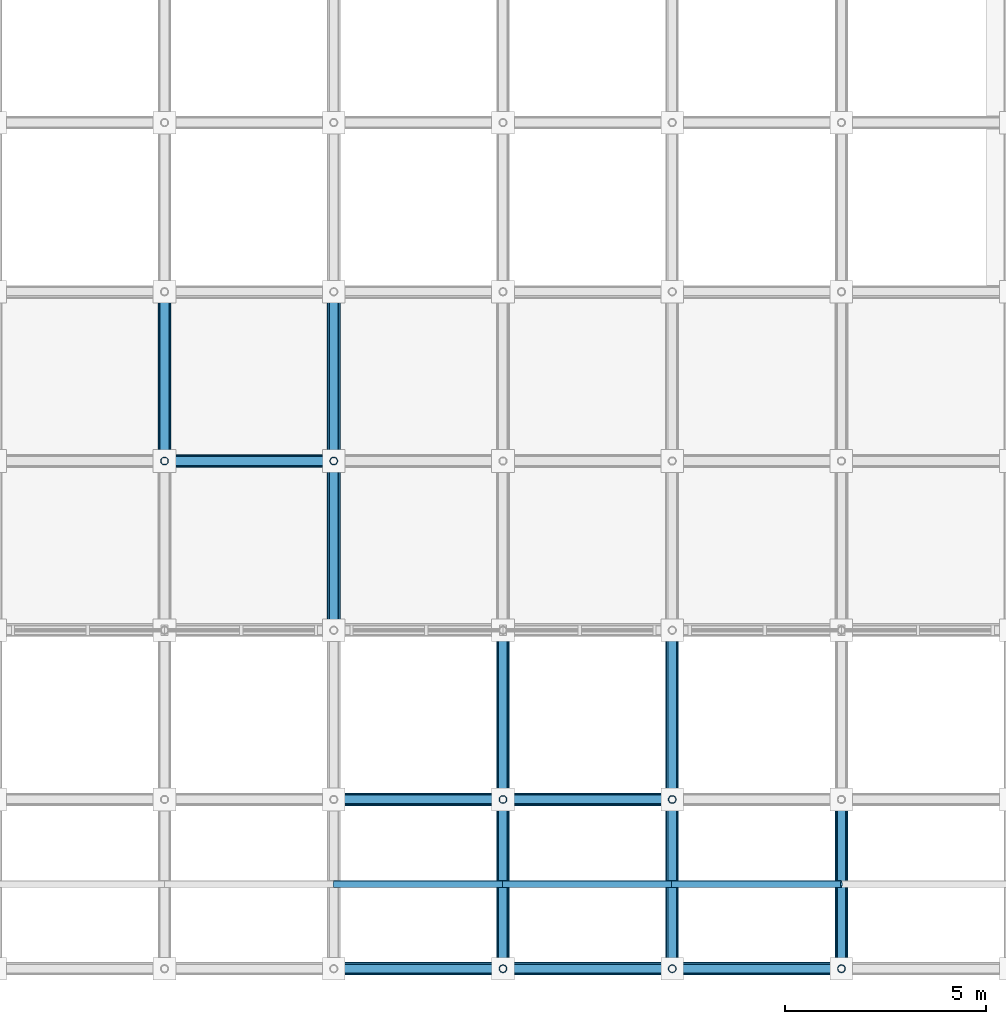
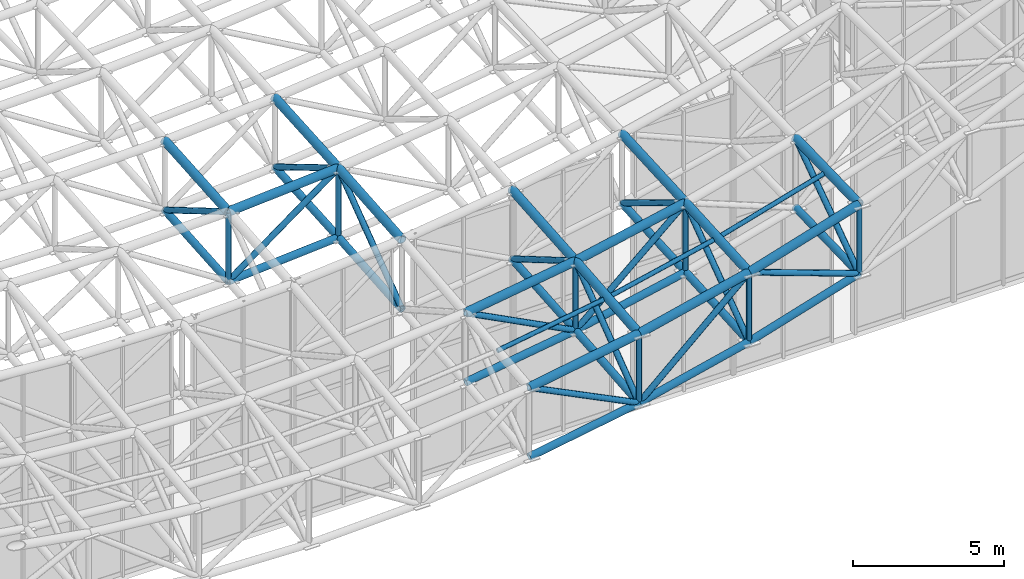
# One storey, part 15 of 93: 52 members.
"""IFC4 building model written with IfcOpenShell, lengths in metres."""

from ifc_helpers import new_model, si_unit, direction, frame, origin, origin_2d, place, context, subcontext, project, spatial, hollow_circle, extrude, material, material_profile, profile_set, type_object, element, save


model = new_model("IFC4")

# Units and contexts
model_context = context("Model", 3, precision=1e-05, world=origin(), true_north=direction((0.0, 1.0)))
body_context = subcontext(model_context, "Body", "Model", "MODEL_VIEW")
ifc_project = project(units=[si_unit("LENGTHUNIT", "METRE"), si_unit("AREAUNIT", "SQUARE_METRE"), si_unit("VOLUMEUNIT", "CUBIC_METRE"), si_unit("PLANEANGLEUNIT", "RADIAN"), si_unit("MASSUNIT", "GRAM", prefix="KILO")], contexts=[model_context])

# Site, building, storey
site_placement = place(None, origin())
site = spatial("IfcSite", under=ifc_project, at=site_placement, CompositionType="ELEMENT")
building_placement = place(site_placement, origin())
building = spatial("IfcBuilding", under=site, at=building_placement, Name="Cumbredor Promenade Congress Hotel", CompositionType="ELEMENT")
storey_placement = place(building_placement, frame((0.0, 0.0, 21.840087890625)))
storey = spatial("IfcBuildingStorey", under=building, at=storey_placement, Name="L06", CompositionType="ELEMENT", Elevation=21.840087890625)

# Members
ifc_material = material(Name="Steel ASTM A500 Grade C", Category="steel")
ifc_material_profile_1 = material_profile(ifc_material, hollow_circle(Radius=0.136474609375, WallThickness=0.01611328125, at=origin_2d()), Name="CHS 273.0x16")
ifc_profile_set_1 = profile_set([ifc_material_profile_1], Name="Steel ASTM A500 Grade C")
member_type_1 = type_object("IfcMemberType", Name="Plenary Roof Space Frame Bottom Chord", PredefinedType="CHORD", material=ifc_profile_set_1)
member_1_placement = place(storey_placement, frame((42.0, 0.0, 6.107666015625), z_axis=(0.98588906313, 0.0, 0.167399985665), x_axis=(0.0, 1.0, 0.0)))
element("IfcMember", 1, at=member_1_placement, inside=storey, type_object=member_type_1, Name="Plenary Congress Hall X Bottom Chord 12.1", PredefinedType="CHORD", context=body_context, shape_type="SweptSolid", body=[
    extrude(hollow_circle(Radius=0.136474609375, WallThickness=0.01611328125, at=origin_2d()), origin(), (0.0, 0.0, 1.0), 4.260009765625),
])
member_2_placement = place(storey_placement, frame((46.199951171875, 0.0, 6.82080078125), z_axis=(0.972882011564, 0.0, 0.231301948922), x_axis=(0.0, 1.0, 0.0)))
element("IfcMember", 2, at=member_2_placement, inside=storey, type_object=member_type_1, Name="Plenary Congress Hall X Bottom Chord 13.1", PredefinedType="CHORD", context=body_context, shape_type="SweptSolid", body=[
    extrude(hollow_circle(Radius=0.136474609375, WallThickness=0.01611328125, at=origin_2d()), origin(), (0.0, 0.0, 1.0), 4.317138671875),
])
member_3_placement = place(storey_placement, frame((50.39990234375, 0.0, 7.8193359375), z_axis=(0.95633258209, 0.0, 0.292280674066), x_axis=(0.0, 1.0, 0.0)))
element("IfcMember", 3, at=member_3_placement, inside=storey, type_object=member_type_1, Name="Plenary Congress Hall X Bottom Chord 14.1", PredefinedType="CHORD", context=body_context, shape_type="SweptSolid", body=[
    extrude(hollow_circle(Radius=0.136474609375, WallThickness=0.01611328125, at=origin_2d()), origin(), (0.0, 0.0, 1.0), 4.39208984375),
])
member_4_placement = place(storey_placement, frame((42.0, 4.199951171875, 6.572509765625), z_axis=(0.988940147497, 0.0, 0.148315153202), x_axis=(0.0, 1.0, 0.0)))
element("IfcMember", 4, at=member_4_placement, inside=storey, type_object=member_type_1, Name="Plenary Congress Hall X Bottom Chord 12.2", PredefinedType="CHORD", context=body_context, shape_type="SweptSolid", body=[
    extrude(hollow_circle(Radius=0.136474609375, WallThickness=0.01611328125, at=origin_2d()), origin(), (0.0, 0.0, 1.0), 4.246826171875),
])
member_5_placement = place(storey_placement, frame((46.199951171875, 4.199951171875, 7.202392578125), z_axis=(0.978672143388, 0.0, 0.20542842003), x_axis=(0.0, 1.0, 0.0)))
element("IfcMember", 5, at=member_5_placement, inside=storey, type_object=member_type_1, Name="Plenary Congress Hall X Bottom Chord 13.2", PredefinedType="CHORD", context=body_context, shape_type="SweptSolid", body=[
    extrude(hollow_circle(Radius=0.136474609375, WallThickness=0.01611328125, at=origin_2d()), origin(), (0.0, 0.0, 1.0), 4.29150390625),
])
member_6_placement = place(storey_placement, frame((37.800048828125, 12.60009765625, 7.03271484375), z_axis=(0.997507033779, 0.0, 0.070567113882), x_axis=(0.0, 1.0, 0.0)))
element("IfcMember", 6, at=member_6_placement, inside=storey, type_object=member_type_1, Name="Plenary Congress Hall X Bottom Chord 11.4", PredefinedType="CHORD", context=body_context, shape_type="SweptSolid", body=[
    extrude(hollow_circle(Radius=0.136474609375, WallThickness=0.01611328125, at=origin_2d()), origin(), (0.0, 0.0, 1.0), 4.21044921875),
])
member_7_placement = place(storey_placement, frame((37.800048828125, 12.60009765625, 7.03271484375), z_axis=(0.0, 0.997069127511, 0.076505914568), x_axis=(-1.0, 0.0, 0.0)))
element("IfcMember", 7, at=member_7_placement, inside=storey, type_object=member_type_1, Name="Plenary Congress Hall Y Bottom Chord 11.4", PredefinedType="CHORD", context=body_context, shape_type="SweptSolid", body=[
    extrude(hollow_circle(Radius=0.136474609375, WallThickness=0.01611328125, at=origin_2d()), origin(), (0.0, 0.0, 1.0), 4.21240234375),
])
member_8_placement = place(storey_placement, frame((42.0, 8.39990234375, 6.980224609375), z_axis=(0.0, 0.996553743384, 0.082949602449), x_axis=(-1.0, 0.0, 0.0)))
element("IfcMember", 8, at=member_8_placement, inside=storey, type_object=member_type_1, Name="Plenary Congress Hall Y Bottom Chord 12.3", PredefinedType="CHORD", context=body_context, shape_type="SweptSolid", body=[
    extrude(hollow_circle(Radius=0.136474609375, WallThickness=0.01611328125, at=origin_2d()), origin(), (0.0, 0.0, 1.0), 4.214599609375),
])
member_9_placement = place(storey_placement, frame((42.0, 12.60009765625, 7.329833984375), z_axis=(0.0, 0.997604040351, 0.069182213575), x_axis=(-1.0, 0.0, 0.0)))
element("IfcMember", 9, at=member_9_placement, inside=storey, type_object=member_type_1, Name="Plenary Congress Hall Y Bottom Chord 12.4", PredefinedType="CHORD", context=body_context, shape_type="SweptSolid", body=[
    extrude(hollow_circle(Radius=0.136474609375, WallThickness=0.01611328125, at=origin_2d()), origin(), (0.0, 0.0, 1.0), 4.2099609375),
])
member_10_placement = place(storey_placement, frame((46.199951171875, 0.0, 6.82080078125), z_axis=(0.0, 0.995897950259, 0.090483549163), x_axis=(-1.0, 0.0, 0.0)))
element("IfcMember", 10, at=member_10_placement, inside=storey, type_object=member_type_1, Name="Plenary Congress Hall Y Bottom Chord 13.1", PredefinedType="CHORD", context=body_context, shape_type="SweptSolid", body=[
    extrude(hollow_circle(Radius=0.136474609375, WallThickness=0.01611328125, at=origin_2d()), origin(), (0.0, 0.0, 1.0), 4.21728515625),
])
member_11_placement = place(storey_placement, frame((46.199951171875, 4.199951171875, 7.202392578125), z_axis=(0.0, 0.996830184947, 0.079558672553), x_axis=(-1.0, 0.0, 0.0)))
element("IfcMember", 11, at=member_11_placement, inside=storey, type_object=member_type_1, Name="Plenary Congress Hall Y Bottom Chord 13.2", PredefinedType="CHORD", context=body_context, shape_type="SweptSolid", body=[
    extrude(hollow_circle(Radius=0.136474609375, WallThickness=0.01611328125, at=origin_2d()), origin(), (0.0, 0.0, 1.0), 4.21337890625),
])
member_12_placement = place(storey_placement, frame((50.39990234375, 0.0, 7.8193359375), z_axis=(0.0, 0.998020619679, 0.062887540065), x_axis=(-1.0, 0.0, 0.0)))
element("IfcMember", 12, at=member_12_placement, inside=storey, type_object=member_type_1, Name="Plenary Congress Hall Y Bottom Chord 14.1", PredefinedType="CHORD", context=body_context, shape_type="SweptSolid", body=[
    extrude(hollow_circle(Radius=0.136474609375, WallThickness=0.01611328125, at=origin_2d()), origin(), (0.0, 0.0, 1.0), 4.208251953125),
])
member_13_placement = place(storey_placement, frame((50.39990234375, 4.199951171875, 8.083984375), z_axis=(0.0, 0.998449798831, 0.055659673143), x_axis=(-1.0, 0.0, 0.0)))
element("IfcMember", 13, at=member_13_placement, inside=storey, type_object=member_type_1, Name="Plenary Congress Hall Y Bottom Chord 14.2", PredefinedType="CHORD", context=body_context, shape_type="SweptSolid", body=[
    extrude(hollow_circle(Radius=0.136474609375, WallThickness=0.01611328125, at=origin_2d()), origin(), (0.0, 0.0, 1.0), 4.20654296875),
])
member_14_placement = place(storey_placement, frame((54.60009765625, 0.0, 9.10302734375), z_axis=(0.0, 0.999626995305, 0.027310625344), x_axis=(-1.0, 0.0, 0.0)))
element("IfcMember", 14, at=member_14_placement, inside=storey, type_object=member_type_1, Name="Plenary Congress Hall Y Bottom Chord 15.1", PredefinedType="CHORD", context=body_context, shape_type="SweptSolid", body=[
    extrude(hollow_circle(Radius=0.136474609375, WallThickness=0.01611328125, at=origin_2d()), origin(), (0.0, 0.0, 1.0), 4.201416015625),
])
ifc_material_profile_2 = material_profile(ifc_material, hollow_circle(Radius=0.161865234375, WallThickness=0.01611328125, at=origin_2d()), Name="CHS 323.9x16")
ifc_profile_set_2 = profile_set([ifc_material_profile_2], Name="Steel ASTM A500 Grade C")
member_type_2 = type_object("IfcMemberType", Name="Plenary Roof Space Frame Top Chord", PredefinedType="CHORD", material=ifc_profile_set_2)
member_15_placement = place(storey_placement, frame((42.0, 0.0, 8.90771484375), z_axis=(0.98588906313, 0.0, 0.167399985665), x_axis=(0.0, 1.0, 0.0)))
element("IfcMember", 15, at=member_15_placement, inside=storey, type_object=member_type_2, Name="Plenary Congress Hall X Top Chord 12.1", PredefinedType="CHORD", context=body_context, shape_type="SweptSolid", body=[
    extrude(hollow_circle(Radius=0.161865234375, WallThickness=0.01611328125, at=origin_2d()), origin(), (0.0, 0.0, 1.0), 4.260009765625),
])
member_16_placement = place(storey_placement, frame((46.199951171875, 0.0, 9.620849609375), z_axis=(0.972882011564, 0.0, 0.231301948922), x_axis=(0.0, 1.0, 0.0)))
element("IfcMember", 16, at=member_16_placement, inside=storey, type_object=member_type_2, Name="Plenary Congress Hall X Top Chord 13.1", PredefinedType="CHORD", context=body_context, shape_type="SweptSolid", body=[
    extrude(hollow_circle(Radius=0.161865234375, WallThickness=0.01611328125, at=origin_2d()), origin(), (0.0, 0.0, 1.0), 4.317138671875),
])
member_17_placement = place(storey_placement, frame((50.39990234375, 0.0, 10.619384765625), z_axis=(0.95633258209, 0.0, 0.292280674066), x_axis=(0.0, 1.0, 0.0)))
element("IfcMember", 17, at=member_17_placement, inside=storey, type_object=member_type_2, Name="Plenary Congress Hall X Top Chord 14.1", PredefinedType="CHORD", context=body_context, shape_type="SweptSolid", body=[
    extrude(hollow_circle(Radius=0.161865234375, WallThickness=0.01611328125, at=origin_2d()), origin(), (0.0, 0.0, 1.0), 4.39208984375),
])
member_18_placement = place(storey_placement, frame((42.0, 4.199951171875, 9.37255859375), z_axis=(0.988948577791, 0.0, 0.148258930542), x_axis=(0.0, 1.0, 0.0)))
element("IfcMember", 18, at=member_18_placement, inside=storey, type_object=member_type_2, Name="Plenary Congress Hall X Top Chord 12.2", PredefinedType="CHORD", context=body_context, shape_type="SweptSolid", body=[
    extrude(hollow_circle(Radius=0.161865234375, WallThickness=0.01611328125, at=origin_2d()), origin(), (0.0, 0.0, 1.0), 4.246826171875),
])
member_19_placement = place(storey_placement, frame((46.199951171875, 4.199951171875, 10.002197265625), z_axis=(0.978660704513, 0.0, 0.205482907906), x_axis=(0.0, 1.0, 0.0)))
element("IfcMember", 19, at=member_19_placement, inside=storey, type_object=member_type_2, Name="Plenary Congress Hall X Top Chord 13.2", PredefinedType="CHORD", context=body_context, shape_type="SweptSolid", body=[
    extrude(hollow_circle(Radius=0.161865234375, WallThickness=0.01611328125, at=origin_2d()), origin(), (0.0, 0.0, 1.0), 4.29150390625),
])
member_20_placement = place(storey_placement, frame((37.800048828125, 12.60009765625, 9.832763671875), z_axis=(0.997507033779, 0.0, 0.070567113882), x_axis=(0.0, 1.0, 0.0)))
element("IfcMember", 20, at=member_20_placement, inside=storey, type_object=member_type_2, Name="Plenary Congress Hall X Top Chord 11.4", PredefinedType="CHORD", context=body_context, shape_type="SweptSolid", body=[
    extrude(hollow_circle(Radius=0.161865234375, WallThickness=0.01611328125, at=origin_2d()), origin(), (0.0, 0.0, 1.0), 4.21044921875),
])
member_21_placement = place(storey_placement, frame((37.800048828125, 12.60009765625, 9.832763671875), z_axis=(0.0, 0.997069127511, 0.076505914568), x_axis=(-1.0, 0.0, 0.0)))
element("IfcMember", 21, at=member_21_placement, inside=storey, type_object=member_type_2, Name="Plenary Congress Hall Y Top Chord 11.4", PredefinedType="CHORD", context=body_context, shape_type="SweptSolid", body=[
    extrude(hollow_circle(Radius=0.161865234375, WallThickness=0.01611328125, at=origin_2d()), origin(), (0.0, 0.0, 1.0), 4.21240234375),
])
member_22_placement = place(storey_placement, frame((42.0, 8.39990234375, 9.7802734375), z_axis=(0.0, 0.996553743384, 0.082949602449), x_axis=(-1.0, 0.0, 0.0)))
element("IfcMember", 22, at=member_22_placement, inside=storey, type_object=member_type_2, Name="Plenary Congress Hall Y Top Chord 12.3", PredefinedType="CHORD", context=body_context, shape_type="SweptSolid", body=[
    extrude(hollow_circle(Radius=0.161865234375, WallThickness=0.01611328125, at=origin_2d()), origin(), (0.0, 0.0, 1.0), 4.214599609375),
])
member_23_placement = place(storey_placement, frame((42.0, 12.60009765625, 10.1298828125), z_axis=(0.0, 0.997604040351, 0.069182213575), x_axis=(-1.0, 0.0, 0.0)))
element("IfcMember", 23, at=member_23_placement, inside=storey, type_object=member_type_2, Name="Plenary Congress Hall Y Top Chord 12.4", PredefinedType="CHORD", context=body_context, shape_type="SweptSolid", body=[
    extrude(hollow_circle(Radius=0.161865234375, WallThickness=0.01611328125, at=origin_2d()), origin(), (0.0, 0.0, 1.0), 4.2099609375),
])
member_24_placement = place(storey_placement, frame((46.199951171875, 0.0, 9.620849609375), z_axis=(0.0, 0.995903165323, 0.090426131735), x_axis=(-1.0, 0.0, 0.0)))
element("IfcMember", 24, at=member_24_placement, inside=storey, type_object=member_type_2, Name="Plenary Congress Hall Y Top Chord 13.1", PredefinedType="CHORD", context=body_context, shape_type="SweptSolid", body=[
    extrude(hollow_circle(Radius=0.161865234375, WallThickness=0.01611328125, at=origin_2d()), origin(), (0.0, 0.0, 1.0), 4.21728515625),
])
member_25_placement = place(storey_placement, frame((46.199951171875, 4.199951171875, 10.002197265625), z_axis=(0.0, 0.99682558788, 0.079616250523), x_axis=(-1.0, 0.0, 0.0)))
element("IfcMember", 25, at=member_25_placement, inside=storey, type_object=member_type_2, Name="Plenary Congress Hall Y Top Chord 13.2", PredefinedType="CHORD", context=body_context, shape_type="SweptSolid", body=[
    extrude(hollow_circle(Radius=0.161865234375, WallThickness=0.01611328125, at=origin_2d()), origin(), (0.0, 0.0, 1.0), 4.21337890625),
])
member_26_placement = place(storey_placement, frame((50.39990234375, 0.0, 10.619384765625), z_axis=(0.0, 0.998020619679, 0.062887540065), x_axis=(-1.0, 0.0, 0.0)))
element("IfcMember", 26, at=member_26_placement, inside=storey, type_object=member_type_2, Name="Plenary Congress Hall Y Top Chord 14.1", PredefinedType="CHORD", context=body_context, shape_type="SweptSolid", body=[
    extrude(hollow_circle(Radius=0.161865234375, WallThickness=0.01611328125, at=origin_2d()), origin(), (0.0, 0.0, 1.0), 4.208251953125),
])
member_27_placement = place(storey_placement, frame((50.39990234375, 4.199951171875, 10.884033203125), z_axis=(0.0, 0.998449798831, 0.055659673143), x_axis=(-1.0, 0.0, 0.0)))
element("IfcMember", 27, at=member_27_placement, inside=storey, type_object=member_type_2, Name="Plenary Congress Hall Y Top Chord 14.2", PredefinedType="CHORD", context=body_context, shape_type="SweptSolid", body=[
    extrude(hollow_circle(Radius=0.161865234375, WallThickness=0.01611328125, at=origin_2d()), origin(), (0.0, 0.0, 1.0), 4.20654296875),
])
member_28_placement = place(storey_placement, frame((54.60009765625, 0.0, 11.903076171875), z_axis=(0.0, 0.999626995305, 0.027310625344), x_axis=(-1.0, 0.0, 0.0)))
element("IfcMember", 28, at=member_28_placement, inside=storey, type_object=member_type_2, Name="Plenary Congress Hall Y Top Chord 15.1", PredefinedType="CHORD", context=body_context, shape_type="SweptSolid", body=[
    extrude(hollow_circle(Radius=0.161865234375, WallThickness=0.01611328125, at=origin_2d()), origin(), (0.0, 0.0, 1.0), 4.201416015625),
])
ifc_material_profile_3 = material_profile(ifc_material, hollow_circle(Radius=0.084228515625, WallThickness=0.010009765625, at=origin_2d()), Name="CHS 168.3x10")
ifc_profile_set_3 = profile_set([ifc_material_profile_3], Name="Steel ASTM A500 Grade C")
member_type_3 = type_object("IfcMemberType", Name="Roof Purlin CHS168", PredefinedType="PURLIN", material=ifc_profile_set_3)
member_29_placement = place(storey_placement, frame((42.0, 2.10009765625, 9.1201171875), z_axis=(0.987462830201, 0.0, 0.1578516993), x_axis=(0.0, 1.0, 0.0)))
element("IfcMember", 29, at=member_29_placement, inside=storey, type_object=member_type_3, Name="Plenary Congress Hall Roof Eave Purlin 12.1", PredefinedType="PURLIN", context=body_context, shape_type="SweptSolid", body=[
    extrude(hollow_circle(Radius=0.084228515625, WallThickness=0.010009765625, at=origin_2d()), origin(), (0.0, 0.0, 1.0), 4.253173828125),
])
member_30_placement = place(storey_placement, frame((46.199951171875, 2.10009765625, 9.79150390625), z_axis=(0.975848194102, 0.0, 0.218449770126), x_axis=(0.0, 1.0, 0.0)))
element("IfcMember", 30, at=member_30_placement, inside=storey, type_object=member_type_3, Name="Plenary Congress Hall Roof Eave Purlin 13.1", PredefinedType="PURLIN", context=body_context, shape_type="SweptSolid", body=[
    extrude(hollow_circle(Radius=0.084228515625, WallThickness=0.010009765625, at=origin_2d()), origin(), (0.0, 0.0, 1.0), 4.303955078125),
])
member_31_placement = place(storey_placement, frame((50.39990234375, 2.10009765625, 10.731689453125), z_axis=(0.960997329479, 0.0, 0.27655764812), x_axis=(0.0, 1.0, 0.0)))
element("IfcMember", 31, at=member_31_placement, inside=storey, type_object=member_type_3, Name="Plenary Congress Hall Roof Eave Purlin 14.1", PredefinedType="PURLIN", context=body_context, shape_type="SweptSolid", body=[
    extrude(hollow_circle(Radius=0.084228515625, WallThickness=0.010009765625, at=origin_2d()), origin(), (0.0, 0.0, 1.0), 4.37060546875),
])
ifc_material_profile_4 = material_profile(ifc_material, hollow_circle(Radius=0.109619140625, WallThickness=0.012451171875, at=origin_2d()), Name="CHS 219.1x12.5")
ifc_profile_set_4 = profile_set([ifc_material_profile_4], Name="Steel ASTM A500 Grade C")
member_type_4 = type_object("IfcMemberType", Name="Space Frame Web Diagonal D1", PredefinedType="BRACE", material=ifc_profile_set_4)
member_32_placement = place(storey_placement, frame((42.0, 0.0, 8.90771484375), z_axis=(0.895538438057, 0.0, -0.444984163722), x_axis=(0.0, 1.0, 0.0)))
element("IfcMember", 32, at=member_32_placement, inside=storey, type_object=member_type_4, Name="Plenary Congress Hall X Web Diagonal 12.1", PredefinedType="BRACE", context=body_context, shape_type="SweptSolid", body=[
    extrude(hollow_circle(Radius=0.109619140625, WallThickness=0.012451171875, at=origin_2d()), origin(), (0.0, 0.0, 1.0), 4.68994140625),
])
member_33_placement = place(storey_placement, frame((46.199951171875, 0.0, 6.82080078125), z_axis=(0.741656287329, 0.0, 0.670780106641), x_axis=(0.0, 1.0, 0.0)))
element("IfcMember", 33, at=member_33_placement, inside=storey, type_object=member_type_4, Name="Plenary Congress Hall X Web Diagonal 13.1", PredefinedType="BRACE", context=body_context, shape_type="SweptSolid", body=[
    extrude(hollow_circle(Radius=0.109619140625, WallThickness=0.012451171875, at=origin_2d()), origin(), (0.0, 0.0, 1.0), 5.662841796875),
])
member_34_placement = place(storey_placement, frame((50.39990234375, 0.0, 10.619384765625), z_axis=(0.940581064863, 0.0, -0.33956922773), x_axis=(0.0, 1.0, 0.0)))
element("IfcMember", 34, at=member_34_placement, inside=storey, type_object=member_type_4, Name="Plenary Congress Hall X Web Diagonal 14.1", PredefinedType="BRACE", context=body_context, shape_type="SweptSolid", body=[
    extrude(hollow_circle(Radius=0.109619140625, WallThickness=0.012451171875, at=origin_2d()), origin(), (0.0, 0.0, 1.0), 4.465576171875),
])
member_35_placement = place(storey_placement, frame((42.0, 4.199951171875, 9.37255859375), z_axis=(0.888409409152, 0.0, -0.459051981512), x_axis=(0.0, 1.0, 0.0)))
element("IfcMember", 35, at=member_35_placement, inside=storey, type_object=member_type_4, Name="Plenary Congress Hall X Web Diagonal 12.2", PredefinedType="BRACE", context=body_context, shape_type="SweptSolid", body=[
    extrude(hollow_circle(Radius=0.109619140625, WallThickness=0.012451171875, at=origin_2d()), origin(), (0.0, 0.0, 1.0), 4.7275390625),
])
member_36_placement = place(storey_placement, frame((46.199951171875, 4.199951171875, 7.202392578125), z_axis=(0.751983371698, 0.0, 0.659182075522), x_axis=(0.0, 1.0, 0.0)))
element("IfcMember", 36, at=member_36_placement, inside=storey, type_object=member_type_4, Name="Plenary Congress Hall X Web Diagonal 13.2", PredefinedType="BRACE", context=body_context, shape_type="SweptSolid", body=[
    extrude(hollow_circle(Radius=0.109619140625, WallThickness=0.012451171875, at=origin_2d()), origin(), (0.0, 0.0, 1.0), 5.585205078125),
])
member_37_placement = place(storey_placement, frame((37.800048828125, 12.60009765625, 7.03271484375), z_axis=(0.804830004985, 0.0, 0.593505402735), x_axis=(0.0, 1.0, 0.0)))
element("IfcMember", 37, at=member_37_placement, inside=storey, type_object=member_type_4, Name="Plenary Congress Hall X Web Diagonal 11.4", PredefinedType="BRACE", context=body_context, shape_type="SweptSolid", body=[
    extrude(hollow_circle(Radius=0.109619140625, WallThickness=0.012451171875, at=origin_2d()), origin(), (0.0, 0.0, 1.0), 5.218505859375),
])
member_38_placement = place(storey_placement, frame((37.800048828125, 12.60009765625, 9.832763671875), z_axis=(0.0, 0.861286129012, -0.508120265264), x_axis=(-1.0, 0.0, 0.0)))
element("IfcMember", 38, at=member_38_placement, inside=storey, type_object=member_type_4, Name="Plenary Congress Hall Y Web Diagonal 11.4", PredefinedType="BRACE", context=body_context, shape_type="SweptSolid", body=[
    extrude(hollow_circle(Radius=0.109619140625, WallThickness=0.012451171875, at=origin_2d()), origin(), (0.0, 0.0, 1.0), 4.87646484375),
])
member_39_placement = place(storey_placement, frame((42.0, 8.39990234375, 6.980224609375), z_axis=(0.0, 0.800044641058, 0.599940473976), x_axis=(-1.0, 0.0, 0.0)))
element("IfcMember", 39, at=member_39_placement, inside=storey, type_object=member_type_4, Name="Plenary Congress Hall Y Web Diagonal 12.3", PredefinedType="BRACE", context=body_context, shape_type="SweptSolid", body=[
    extrude(hollow_circle(Radius=0.109619140625, WallThickness=0.012451171875, at=origin_2d()), origin(), (0.0, 0.0, 1.0), 5.25),
])
member_40_placement = place(storey_placement, frame((42.0, 12.60009765625, 10.1298828125), z_axis=(0.0, 0.858499634493, -0.512814174507), x_axis=(-1.0, 0.0, 0.0)))
element("IfcMember", 40, at=member_40_placement, inside=storey, type_object=member_type_4, Name="Plenary Congress Hall Y Web Diagonal 12.4", PredefinedType="BRACE", context=body_context, shape_type="SweptSolid", body=[
    extrude(hollow_circle(Radius=0.109619140625, WallThickness=0.012451171875, at=origin_2d()), origin(), (0.0, 0.0, 1.0), 4.89208984375),
])
member_41_placement = place(storey_placement, frame((46.199951171875, 0.0, 6.82080078125), z_axis=(0.0, 0.797127291195, 0.603811296376), x_axis=(-1.0, 0.0, 0.0)))
element("IfcMember", 41, at=member_41_placement, inside=storey, type_object=member_type_4, Name="Plenary Congress Hall Y Web Diagonal 13.1", PredefinedType="BRACE", context=body_context, shape_type="SweptSolid", body=[
    extrude(hollow_circle(Radius=0.109619140625, WallThickness=0.012451171875, at=origin_2d()), origin(), (0.0, 0.0, 1.0), 5.268798828125),
])
member_42_placement = place(storey_placement, frame((46.199951171875, 4.199951171875, 10.002197265625), z_axis=(0.0, 0.862468592459, -0.506110587739), x_axis=(-1.0, 0.0, 0.0)))
element("IfcMember", 42, at=member_42_placement, inside=storey, type_object=member_type_4, Name="Plenary Congress Hall Y Web Diagonal 13.2", PredefinedType="BRACE", context=body_context, shape_type="SweptSolid", body=[
    extrude(hollow_circle(Radius=0.109619140625, WallThickness=0.012451171875, at=origin_2d()), origin(), (0.0, 0.0, 1.0), 4.86962890625),
])
member_43_placement = place(storey_placement, frame((50.39990234375, 0.0, 7.8193359375), z_axis=(0.0, 0.807803033884, 0.589452507373), x_axis=(-1.0, 0.0, 0.0)))
element("IfcMember", 43, at=member_43_placement, inside=storey, type_object=member_type_4, Name="Plenary Congress Hall Y Web Diagonal 14.1", PredefinedType="BRACE", context=body_context, shape_type="SweptSolid", body=[
    extrude(hollow_circle(Radius=0.109619140625, WallThickness=0.012451171875, at=origin_2d()), origin(), (0.0, 0.0, 1.0), 5.19921875),
])
member_44_placement = place(storey_placement, frame((50.39990234375, 4.199951171875, 10.884033203125), z_axis=(0.0, 0.85334681454, -0.521343662199), x_axis=(-1.0, 0.0, 0.0)))
element("IfcMember", 44, at=member_44_placement, inside=storey, type_object=member_type_4, Name="Plenary Congress Hall Y Web Diagonal 14.2", PredefinedType="BRACE", context=body_context, shape_type="SweptSolid", body=[
    extrude(hollow_circle(Radius=0.109619140625, WallThickness=0.012451171875, at=origin_2d()), origin(), (0.0, 0.0, 1.0), 4.921630859375),
])
member_45_placement = place(storey_placement, frame((54.60009765625, 0.0, 9.10302734375), z_axis=(0.0, 0.821538354491, 0.570153253169), x_axis=(-1.0, 0.0, 0.0)))
element("IfcMember", 45, at=member_45_placement, inside=storey, type_object=member_type_4, Name="Plenary Congress Hall Y Web Diagonal 15.1", PredefinedType="BRACE", context=body_context, shape_type="SweptSolid", body=[
    extrude(hollow_circle(Radius=0.109619140625, WallThickness=0.012451171875, at=origin_2d()), origin(), (0.0, 0.0, 1.0), 5.1123046875),
])
ifc_material_profile_5 = material_profile(ifc_material, hollow_circle(Radius=0.096923828125, WallThickness=0.010009765625, at=origin_2d()), Name="CHS 193.7x10")
ifc_profile_set_5 = profile_set([ifc_material_profile_5], Name="Steel ASTM A500 Grade C")
member_type_5 = type_object("IfcMemberType", Name="Space Frame Web Post P1", PredefinedType="BRACE", material=ifc_profile_set_5)
for number, where, z_axis, x_axis, name in (
    (46, (37.800048828125, 12.60009765625, 7.03271484375), (0.0, 0.0, 1.0), (1.0, 0.0, 0.0), "Plenary Congress Hall Space Frame Web Post 11.4"),
    (47, (42.0, 12.60009765625, 7.329833984375), (0.0, 0.0, 1.0), (1.0, 0.0, 0.0), "Plenary Congress Hall Space Frame Web Post 12.4"),
    (48, (46.199951171875, 0.0, 6.82080078125), (0.0, 0.0, 1.0), (1.0, 0.0, 0.0), "Plenary Congress Hall Space Frame Web Post 13.1"),
):
    element("IfcMember", number, at=place(storey_placement, frame(where, z_axis=z_axis, x_axis=x_axis)), inside=storey, type_object=member_type_5, Name=name, PredefinedType="BRACE", context=body_context, shape_type="SweptSolid", body=[
        extrude(hollow_circle(Radius=0.096923828125, WallThickness=0.010009765625, at=origin_2d()), origin(), (0.0, 0.0, 1.0), 2.800048828125),
    ])
member_46_placement = place(storey_placement, frame((46.199951171875, 4.199951171875, 7.202392578125), z_axis=(0.0, 0.0, 1.0), x_axis=(1.0, 0.0, 0.0)))
element("IfcMember", 49, at=member_46_placement, inside=storey, type_object=member_type_5, Name="Plenary Congress Hall Space Frame Web Post 13.2", PredefinedType="BRACE", context=body_context, shape_type="SweptSolid", body=[
    extrude(hollow_circle(Radius=0.096923828125, WallThickness=0.010009765625, at=origin_2d()), origin(), (0.0, 0.0, 1.0), 2.7998046875),
])
for number, where, z_axis, x_axis, name in (
    (50, (50.39990234375, 0.0, 7.8193359375), (0.0, 0.0, 1.0), (1.0, 0.0, 0.0), "Plenary Congress Hall Space Frame Web Post 14.1"),
    (51, (50.39990234375, 4.199951171875, 8.083984375), (0.0, 0.0, 1.0), (1.0, 0.0, 0.0), "Plenary Congress Hall Space Frame Web Post 14.2"),
    (52, (54.60009765625, 0.0, 9.10302734375), (0.0, 0.0, 1.0), (1.0, 0.0, 0.0), "Plenary Congress Hall Space Frame Web Post 15.1"),
):
    element("IfcMember", number, at=place(storey_placement, frame(where, z_axis=z_axis, x_axis=x_axis)), inside=storey, type_object=member_type_5, Name=name, PredefinedType="BRACE", context=body_context, shape_type="SweptSolid", body=[
        extrude(hollow_circle(Radius=0.096923828125, WallThickness=0.010009765625, at=origin_2d()), origin(), (0.0, 0.0, 1.0), 2.800048828125),
    ])

save(model, "model.ifc")
